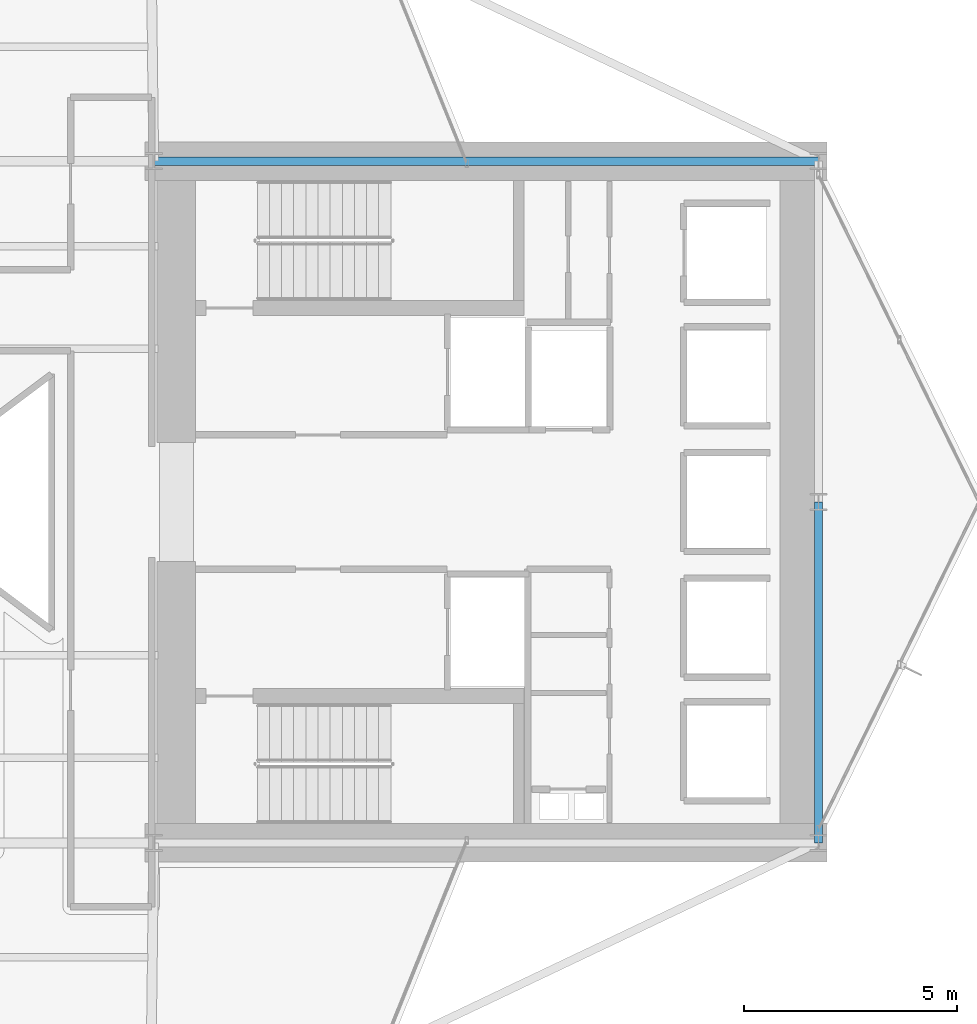
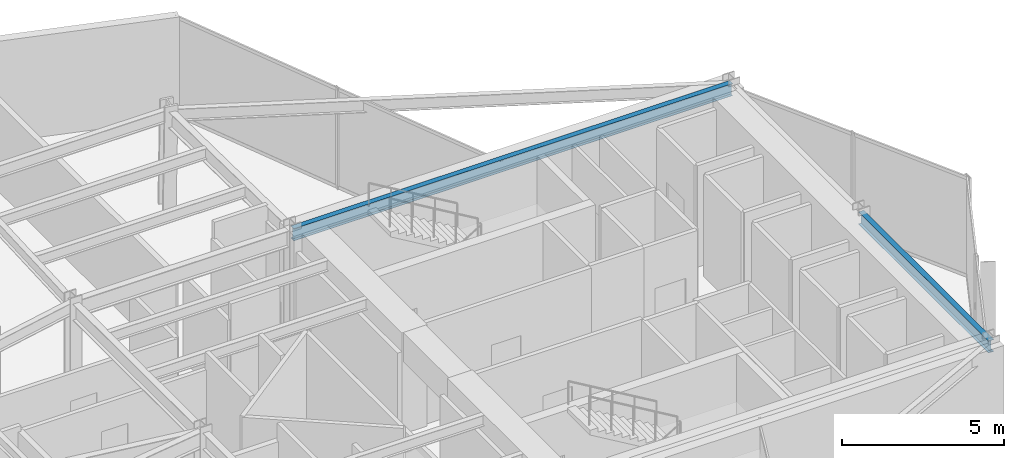
# One storey, part 18 of 31: 2 beams.
"""IFC4 building model written with IfcOpenShell, lengths in metres."""

from ifc_helpers import new_model, si_unit, direction, frame, origin, origin_2d, place, context, subcontext, project, spatial, i_section, extrude, material, material_profile, profile_set, type_object, element, save


model = new_model("IFC4")

# Units and contexts
model_context = context("Model", 3, precision=1e-05, world=origin(), true_north=direction((0.0, 1.0)))
body_context = subcontext(model_context, "Body", "Model", "MODEL_VIEW")
ifc_project = project(units=[si_unit("LENGTHUNIT", "METRE"), si_unit("AREAUNIT", "SQUARE_METRE"), si_unit("VOLUMEUNIT", "CUBIC_METRE"), si_unit("PLANEANGLEUNIT", "RADIAN"), si_unit("MASSUNIT", "GRAM", prefix="KILO")], contexts=[model_context])

# Site, building, storey
site_placement = place(None, origin())
site = spatial("IfcSite", under=ifc_project, at=site_placement, CompositionType="ELEMENT")
building_placement = place(site_placement, origin())
building = spatial("IfcBuilding", under=site, at=building_placement, Name="Veymaron Broadcast Tower", CompositionType="ELEMENT")
storey_placement = place(building_placement, frame((0.0, 0.0, 70.199951171875)))
storey = spatial("IfcBuildingStorey", under=building, at=storey_placement, Name="L15", CompositionType="ELEMENT", Elevation=70.199951171875)

# Beams
ifc_material = material(Name="Structural steel ASTM A992 Gr 50", Category="steel")
ifc_material_profile = material_profile(ifc_material, i_section(OverallWidth=0.19091796875, OverallDepth=0.4599609375, WebThickness=0.010009765625, FlangeThickness=0.01611328125, at=origin_2d()), Name="W460X82")
ifc_profile_set = profile_set([ifc_material_profile], Name="Structural steel ASTM A992 Gr 50")
beam_type = type_object("IfcBeamType", Name="BM-SP1", PredefinedType="SPANDREL", material=ifc_profile_set)
beam_1_placement = place(storey_placement, frame((39.0, 32.0, 3.580078125), z_axis=(1.0, 0.0, 0.0), x_axis=(0.0, 1.0, 0.0)))
element("IfcBeam", 1, at=beam_1_placement, inside=storey, type_object=beam_type, Name="L15 primary structural floor girder", PredefinedType="SPANDREL", context=body_context, shape_type="SweptSolid", body=[
    extrude(i_section(OverallWidth=0.19091796875, OverallDepth=0.4599609375, WebThickness=0.010009765625, FlangeThickness=0.01611328125, at=origin_2d()), origin(), (0.0, 0.0, 1.0), 15.60009765625),
])
beam_2_placement = place(storey_placement, frame((54.60009765625, 16.0, 3.580078125), z_axis=(0.0, 1.0, 0.0), x_axis=(-1.0, 0.0, 0.0)))
element("IfcBeam", 2, at=beam_2_placement, inside=storey, type_object=beam_type, Name="L15 primary structural floor girder", PredefinedType="SPANDREL", context=body_context, shape_type="SweptSolid", body=[
    extrude(i_section(OverallWidth=0.19091796875, OverallDepth=0.4599609375, WebThickness=0.010009765625, FlangeThickness=0.01611328125, at=origin_2d()), origin(), (0.0, 0.0, 1.0), 8.0),
])

save(model, "model.ifc")
